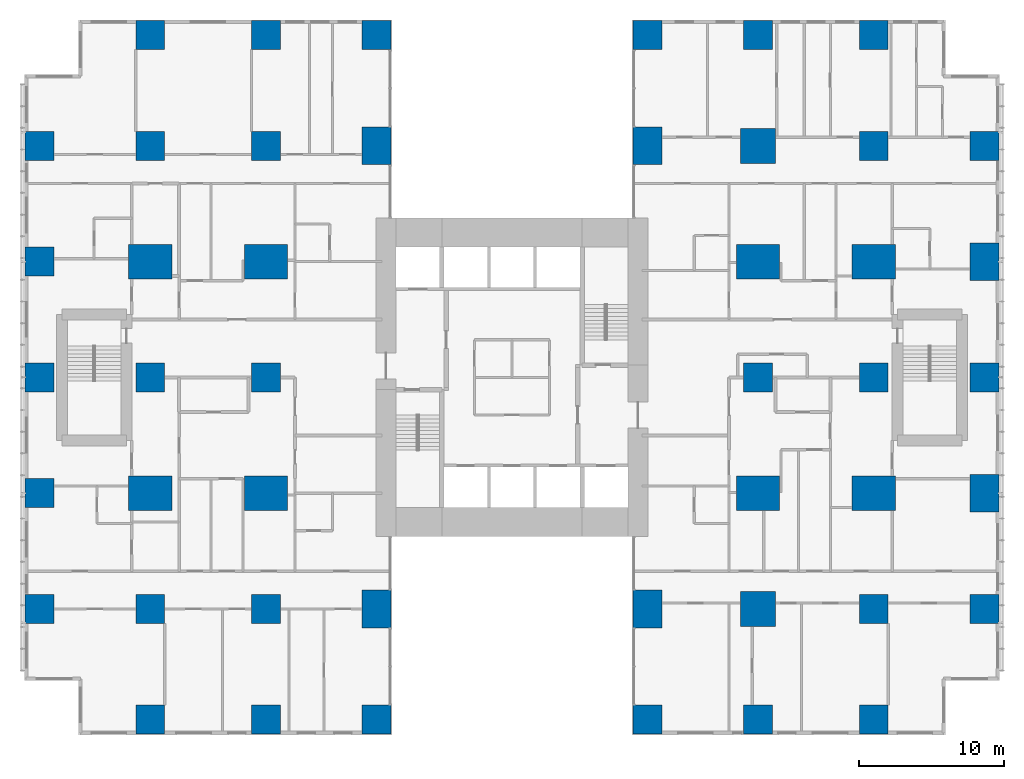
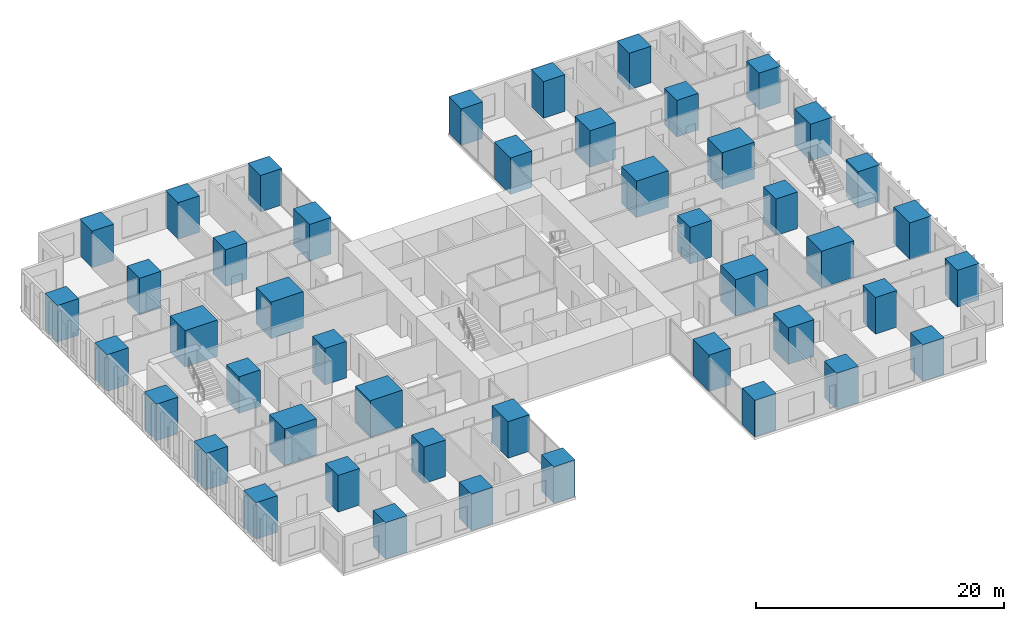
# One storey, part 1 of 20: 46 columns.
"""IFC4 building model written with IfcOpenShell, lengths in metres."""

import ifcopenshell
import ifcopenshell.guid

model = None  # the IFC model being written
_history = None  # IfcOwnerHistory: only IFC2X3 demands one
_inside = {}  # id of a spatial element -> (the spatial element, [elements in it])
_under = {}  # id of a project, library or spatial element -> (it, [spatial elements below it])
_declared = {}  # id of a project -> (the project, [libraries it declares])
_typed = {}  # id of a type object -> (the type object, [elements of that type])
_made_of = {}  # id of a material, layer set ... -> (it, [elements and type objects made of it])


def new_model(schema):
    """Start an empty IFC model of exactly this schema.

    Asked for "IFC4X3", IfcOpenShell would pick the latest addendum, in which some entities
    have other attributes; the version numbers below select the first issue.
    IFC2X3 requires an IfcOwnerHistory on every rooted entity: one is made here for all.
    """
    global model, _history
    if schema == "IFC4X3":
        model = ifcopenshell.file(schema_version=(4, 3, 0, 0))
    else:
        model = ifcopenshell.file(schema=schema)
    _inside.clear()
    _under.clear()
    _declared.clear()
    _typed.clear()
    _made_of.clear()
    _history = None
    if model.schema == "IFC2X3":
        org = make("IfcOrganization", Name="unknown")
        user = make(
            "IfcPersonAndOrganization",
            ThePerson=make("IfcPerson", FamilyName="unknown"),
            TheOrganization=org,
        )
        app = make(
            "IfcApplication",
            ApplicationDeveloper=org,
            Version="unknown",
            ApplicationFullName="unknown",
            ApplicationIdentifier="unknown",
        )
        _history = make(
            "IfcOwnerHistory",
            OwningUser=user,
            OwningApplication=app,
            ChangeAction="ADDED",
            CreationDate=0,
        )
    return model


def make(cls, **values):
    """One entity of the class cls with the attributes given. An attribute that is None is left unset."""
    return model.create_entity(
        cls, **{name: value for name, value in values.items() if value is not None}
    )


def rooted(cls, **values):
    """An entity with a GlobalId (a new one), such as an element, a storey or a relation."""
    return make(cls, GlobalId=ifcopenshell.guid.new(), OwnerHistory=_history, **values)


def si_unit(unit_type, name, prefix=None):
    """IfcSIUnit, for example si_unit("LENGTHUNIT", "METRE", prefix="MILLI")."""
    return make("IfcSIUnit", UnitType=unit_type, Prefix=prefix, Name=name)


def assignment(units):
    """IfcUnitAssignment: the units of a project."""
    return None if units is None else make("IfcUnitAssignment", Units=units)


def point(xyz):
    """IfcCartesianPoint."""
    return None if xyz is None else make("IfcCartesianPoint", Coordinates=xyz)


def direction(xyz):
    """IfcDirection."""
    return None if xyz is None else make("IfcDirection", DirectionRatios=xyz)


def frame(location, z_axis=None, x_axis=None):
    """IfcAxis2Placement3D, a coordinate frame: its origin and axes. An axis left out is left unset."""
    return make(
        "IfcAxis2Placement3D",
        Location=point(location),
        Axis=direction(z_axis),
        RefDirection=direction(x_axis),
    )


def frame_2d(location, x_axis=None):
    """IfcAxis2Placement2D, a coordinate frame in the plane: its origin and x axis."""
    return make(
        "IfcAxis2Placement2D", Location=point(location), RefDirection=direction(x_axis)
    )


def origin():
    """The frame at (0, 0, 0) with its axes left unset."""
    return frame((0.0, 0.0, 0.0))


def origin_2d():
    """The frame at (0, 0) in the plane with its x axis left unset."""
    return frame_2d((0.0, 0.0))


def place(relative_to, where):
    """IfcLocalPlacement: puts the frame where relative to a parent placement (None: the world)."""
    return make(
        "IfcLocalPlacement", PlacementRelTo=relative_to, RelativePlacement=where
    )


def context(
    kind, dimensions, precision=None, world=None, true_north=None, identifier=None
):
    """IfcGeometricRepresentationContext, for example the 3D "Model" context."""
    return make(
        "IfcGeometricRepresentationContext",
        ContextIdentifier=identifier,
        ContextType=kind,
        CoordinateSpaceDimension=dimensions,
        Precision=precision,
        WorldCoordinateSystem=world,
        TrueNorth=true_north,
    )


def subcontext(parent, identifier, kind, view, scale=None):
    """IfcGeometricRepresentationSubContext, for example "Body" below "Model"."""
    return make(
        "IfcGeometricRepresentationSubContext",
        ContextIdentifier=identifier,
        ContextType=kind,
        ParentContext=parent,
        TargetScale=scale,
        TargetView=view,
    )


def project(units=None, contexts=None):
    """IfcProject with its units and contexts."""
    return rooted(
        "IfcProject",
        Name="project",
        RepresentationContexts=contexts,
        UnitsInContext=assignment(units),
    )


def spatial(cls, under=None, at=None, **own):
    """A site, building, storey or space (cls), placed at a placement, below another one or the project."""
    s = rooted(cls, ObjectPlacement=at, **own)
    if under is not None:
        _under.setdefault(under.id(), (under, []))[1].append(s)
    return s


def profile(cls, at=None, kind="AREA", **sizes):
    """A parametric profile (cls). Its sizes go by their IFC names, for example OverallWidth=200.0."""
    return make(cls, ProfileType=kind, Position=at, **sizes)


def rectangle(**sizes):
    """IfcRectangleProfileDef."""
    return profile("IfcRectangleProfileDef", **sizes)


def extrude(swept, where, along, depth):
    """IfcExtrudedAreaSolid: the profile swept, set in the frame where, extruded along a direction by depth."""
    return make(
        "IfcExtrudedAreaSolid",
        SweptArea=swept,
        Position=where,
        ExtrudedDirection=direction(along),
        Depth=depth,
    )


def shape(context_of_items, identifier, shape_type, items):
    """IfcShapeRepresentation: the items that make up one representation, for example the "Body"."""
    return make(
        "IfcShapeRepresentation",
        ContextOfItems=context_of_items,
        RepresentationIdentifier=identifier,
        RepresentationType=shape_type,
        Items=items,
    )


def material(Name=None, Category=None):
    """IfcMaterial."""
    return make("IfcMaterial", Name=Name, Category=Category)


def material_profile(
    of_material, cross_section, Name=None, Category=None, Priority=None
):
    """IfcMaterialProfile: a cross section and its material."""
    return make(
        "IfcMaterialProfile",
        Name=Name,
        Material=of_material,
        Profile=cross_section,
        Priority=Priority,
        Category=Category,
    )


def profile_set(profiles, Name=None, composite=None):
    """IfcMaterialProfileSet."""
    return make(
        "IfcMaterialProfileSet",
        Name=Name,
        MaterialProfiles=profiles,
        CompositeProfile=composite,
    )


def made_of(thing, what):
    """Note that an element or type object is made of a material, layer set ...; save() writes the relation."""
    if what is not None:
        _made_of.setdefault(what.id(), (what, []))[1].append(thing)
    return thing


def type_object(cls, material=None, **own):
    """A type object (cls), such as IfcWallType, which elements share."""
    return made_of(rooted(cls, **own), material)


def element(
    cls,
    number,
    at=None,
    inside=None,
    cuts=None,
    type_object=None,
    material=None,
    context=None,
    identifier="Body",
    shape_type=None,
    held_by="IfcProductDefinitionShape",
    body=None,
    shapes=None,
    **own,
):
    """One element of the class cls, such as IfcWall. Its Tag is "e" and its number.

    at: its placement. inside: the storey or other place that contains it. cuts: it is an
    opening in that element (IfcRelVoidsElement). A single representation is given by context,
    identifier, shape_type and body (its items); several are given by shapes. held_by: the class
    of the entity that holds the representations. save() writes the other relations.
    """
    e = rooted(cls, Tag="e%d" % number, ObjectPlacement=at, **own)
    if body is not None:
        shapes = [shape(context, identifier, shape_type, body)]
    if shapes is not None:
        e.Representation = make(held_by, Representations=shapes)
    if inside is not None:
        _inside.setdefault(inside.id(), (inside, []))[1].append(e)
    if cuts is not None:
        rooted(
            "IfcRelVoidsElement", RelatingBuildingElement=cuts, RelatedOpeningElement=e
        )
    if type_object is not None:
        _typed.setdefault(type_object.id(), (type_object, []))[1].append(e)
    return made_of(e, material)


def aggregate(whole, parts):
    """IfcRelAggregates: a whole, such as a stair, and the parts it consists of."""
    return rooted("IfcRelAggregates", RelatingObject=whole, RelatedObjects=parts)


def save(model, path):
    """Write the relations noted so far, then the file.

    IfcRelAggregates (storeys below a building ...), IfcRelContainedInSpatialStructure (elements
    in a storey), IfcRelDefinesByType, IfcRelAssociatesMaterial and IfcRelDeclares: one each for
    every whole, place, type object, material and project.
    """
    for whole, parts in _under.values():
        aggregate(whole, parts)
    for where, things in _inside.values():
        rooted(
            "IfcRelContainedInSpatialStructure",
            RelatedElements=things,
            RelatingStructure=where,
        )
    for kind, things in _typed.values():
        rooted("IfcRelDefinesByType", RelatedObjects=things, RelatingType=kind)
    for what, things in _made_of.values():
        rooted("IfcRelAssociatesMaterial", RelatedObjects=things, RelatingMaterial=what)
    for by, libraries in _declared.values():
        rooted("IfcRelDeclares", RelatingContext=by, RelatedDefinitions=libraries)
    model.write(path)


model = new_model("IFC4")

# Units and contexts
model_context = context("Model", 3, precision=1e-05, world=origin(), true_north=direction((0.0, 1.0)))
body_context = subcontext(model_context, "Body", "Model", "MODEL_VIEW")
ifc_project = project(units=[si_unit("LENGTHUNIT", "METRE"), si_unit("AREAUNIT", "SQUARE_METRE"), si_unit("VOLUMEUNIT", "CUBIC_METRE"), si_unit("PLANEANGLEUNIT", "RADIAN"), si_unit("MASSUNIT", "GRAM", prefix="KILO")], contexts=[model_context])

# Site, building, storey
site_placement = place(None, origin())
site = spatial("IfcSite", under=ifc_project, at=site_placement, CompositionType="ELEMENT")
building_placement = place(site_placement, origin())
building = spatial("IfcBuilding", under=site, at=building_placement, Name="Cleftline Residences", CompositionType="ELEMENT")
storey_placement = place(building_placement, frame((0.0, 0.0, 135.800048828125)))
storey = spatial("IfcBuildingStorey", under=building, at=storey_placement, Name="L35", CompositionType="ELEMENT", Elevation=135.800048828125)

# Columns
ifc_material_1 = material(Name="Concrete B70", Category="concrete")
ifc_material_profile_1 = material_profile(ifc_material_1, rectangle(XDim=2.0, YDim=2.0, at=origin_2d()))
ifc_profile_set_1 = profile_set([ifc_material_profile_1], Name="Concrete B70")
column_type_1 = type_object("IfcColumnType", Name="COLUMN RC2000X2000", PredefinedType="COLUMN", material=ifc_profile_set_1)
for number, where, z_axis, x_axis, name in (
    (1, (0.35009765625, 8.0, 0.0), (0.0, 0.0, 1.0), (1.0, 0.0, 0.0), "Column D/3"),
    (2, (0.35009765625, 16.0, 0.0), (0.0, 0.0, 1.0), (1.0, 0.0, 0.0), "Column E/3"),
    (3, (0.35009765625, 24.0, 0.0), (0.0, 0.0, 1.0), (1.0, 0.0, 0.0), "Column F/3"),
    (4, (0.35009765625, 32.0, 0.0), (0.0, 0.0, 1.0), (1.0, 0.0, 0.0), "Column G/3"),
    (5, (0.35009765625, 40.0, 0.0), (0.0, 0.0, 1.0), (1.0, 0.0, 0.0), "Column H/3"),
    (6, (8.0, 0.35009765625, 0.0), (0.0, 0.0, 1.0), (1.0, 0.0, 0.0), "Column C/4"),
    (7, (8.0, 8.0, 0.0), (0.0, 0.0, 1.0), (1.0, 0.0, 0.0), "Column D/4"),
    (8, (8.0, 24.0, 0.0), (0.0, 0.0, 1.0), (1.0, 0.0, 0.0), "Column F/4"),
    (9, (8.0, 40.0, 0.0), (0.0, 0.0, 1.0), (1.0, 0.0, 0.0), "Column H/4"),
    (10, (8.0, 47.64990234375, 0.0), (0.0, 0.0, 1.0), (1.0, 0.0, 0.0), "Column J/4"),
    (11, (16.0, 0.35009765625, 0.0), (0.0, 0.0, 1.0), (1.0, 0.0, 0.0), "Column C/5"),
    (12, (16.0, 8.0, 0.0), (0.0, 0.0, 1.0), (1.0, 0.0, 0.0), "Column D/5"),
    (13, (16.0, 24.0, 0.0), (0.0, 0.0, 1.0), (1.0, 0.0, 0.0), "Column F/5"),
    (14, (16.0, 40.0, 0.0), (0.0, 0.0, 1.0), (1.0, 0.0, 0.0), "Column H/5"),
    (15, (16.0, 47.64990234375, 0.0), (0.0, 0.0, 1.0), (1.0, 0.0, 0.0), "Column J/5"),
    (16, (23.64990234375, 0.35009765625, 0.0), (0.0, 0.0, 1.0), (1.0, 0.0, 0.0), "Column C/6"),
    (17, (23.64990234375, 47.64990234375, 0.0), (0.0, 0.0, 1.0), (1.0, 0.0, 0.0), "Column J/6"),
    (18, (42.35009765625, 0.35009765625, 0.0), (0.0, 0.0, 1.0), (1.0, 0.0, 0.0), "Column C/8"),
    (19, (42.35009765625, 47.64990234375, 0.0), (0.0, 0.0, 1.0), (1.0, 0.0, 0.0), "Column J/8"),
    (20, (50.0, 0.35009765625, 0.0), (0.0, 0.0, 1.0), (1.0, 0.0, 0.0), "Column C/9"),
    (21, (50.0, 24.0, 0.0), (0.0, 0.0, 1.0), (1.0, 0.0, 0.0), "Column F/9"),
    (22, (50.0, 47.64990234375, 0.0), (0.0, 0.0, 1.0), (1.0, 0.0, 0.0), "Column J/9"),
    (23, (58.0, 0.35009765625, 0.0), (0.0, 0.0, 1.0), (1.0, 0.0, 0.0), "Column C/10"),
    (24, (58.0, 8.0, 0.0), (0.0, 0.0, 1.0), (1.0, 0.0, 0.0), "Column D/10"),
    (25, (58.0, 24.0, 0.0), (0.0, 0.0, 1.0), (1.0, 0.0, 0.0), "Column F/10"),
    (26, (58.0, 40.0, 0.0), (0.0, 0.0, 1.0), (1.0, 0.0, 0.0), "Column H/10"),
    (27, (58.0, 47.64990234375, 0.0), (0.0, 0.0, 1.0), (1.0, 0.0, 0.0), "Column J/10"),
    (28, (65.64990234375, 8.0, 0.0), (0.0, 0.0, 1.0), (1.0, 0.0, 0.0), "Column D/11"),
    (29, (65.64990234375, 24.0, 0.0), (0.0, 0.0, 1.0), (1.0, 0.0, 0.0), "Column F/11"),
    (30, (65.64990234375, 40.0, 0.0), (0.0, 0.0, 1.0), (1.0, 0.0, 0.0), "Column H/11"),
):
    element("IfcColumn", number, at=place(storey_placement, frame(where, z_axis=z_axis, x_axis=x_axis)), inside=storey, type_object=column_type_1, Name=name, PredefinedType="COLUMN", context=body_context, shape_type="SweptSolid", body=[
        extrude(rectangle(XDim=2.0, YDim=2.0, at=origin_2d()), origin(), (0.0, 0.0, 1.0), 3.599853515625),
    ])
ifc_material_2 = material(Name="Concrete B70", Category="concrete")
ifc_material_profile_2 = material_profile(ifc_material_2, rectangle(XDim=2.0, YDim=2.60009765625, at=origin_2d()))
ifc_profile_set_2 = profile_set([ifc_material_profile_2], Name="Concrete B70")
column_type_2 = type_object("IfcColumnType", Name="COLUMN RC2000X2600", PredefinedType="COLUMN", material=ifc_profile_set_2)
for number, where, z_axis, x_axis, name in (
    (31, (23.64990234375, 8.0, 0.0), (0.0, 0.0, 1.0), (1.0, 0.0, 0.0), "Column D/6"),
    (32, (23.64990234375, 40.0, 0.0), (0.0, 0.0, 1.0), (1.0, 0.0, 0.0), "Column H/6"),
    (33, (42.35009765625, 8.0, 0.0), (0.0, 0.0, 1.0), (1.0, 0.0, 0.0), "Column D/8"),
    (34, (42.35009765625, 40.0, 0.0), (0.0, 0.0, 1.0), (1.0, 0.0, 0.0), "Column H/8"),
):
    element("IfcColumn", number, at=place(storey_placement, frame(where, z_axis=z_axis, x_axis=x_axis)), inside=storey, type_object=column_type_2, Name=name, PredefinedType="COLUMN", context=body_context, shape_type="SweptSolid", body=[
        extrude(rectangle(XDim=2.0, YDim=2.60009765625, at=origin_2d()), origin(), (0.0, 0.0, 1.0), 3.599853515625),
    ])
ifc_material_3 = material(Name="Concrete B70", Category="concrete")
ifc_material_profile_3 = material_profile(ifc_material_3, rectangle(XDim=2.39990234375, YDim=2.39990234375, at=origin_2d()))
ifc_profile_set_3 = profile_set([ifc_material_profile_3], Name="Concrete B70")
column_type_3 = type_object("IfcColumnType", Name="COLUMN RC2400X2400", PredefinedType="COLUMN", material=ifc_profile_set_3)
for number, where, z_axis, x_axis, name in (
    (35, (50.0, 8.0, 0.0), (0.0, 0.0, 1.0), (1.0, 0.0, 0.0), "Column D/9"),
    (36, (50.0, 40.0, 0.0), (0.0, 0.0, 1.0), (1.0, 0.0, 0.0), "Column H/9"),
):
    element("IfcColumn", number, at=place(storey_placement, frame(where, z_axis=z_axis, x_axis=x_axis)), inside=storey, type_object=column_type_3, Name=name, PredefinedType="COLUMN", context=body_context, shape_type="SweptSolid", body=[
        extrude(rectangle(XDim=2.39990234375, YDim=2.39990234375, at=origin_2d()), origin(), (0.0, 0.0, 1.0), 3.599853515625),
    ])
ifc_material_4 = material(Name="Concrete B70", Category="concrete")
ifc_material_profile_4 = material_profile(ifc_material_4, rectangle(XDim=2.60009765625, YDim=2.0, at=origin_2d()))
ifc_profile_set_4 = profile_set([ifc_material_profile_4], Name="Concrete B70")
column_type_4 = type_object("IfcColumnType", Name="COLUMN RC2600X2000", PredefinedType="COLUMN", material=ifc_profile_set_4)
for number, where, z_axis, x_axis, name in (
    (37, (65.64990234375, 16.0, 0.0), (0.0, 0.0, 1.0), (0.0, 1.0, 0.0), "Column E/11"),
    (38, (65.64990234375, 32.0, 0.0), (0.0, 0.0, 1.0), (0.0, 1.0, 0.0), "Column G/11"),
):
    element("IfcColumn", number, at=place(storey_placement, frame(where, z_axis=z_axis, x_axis=x_axis)), inside=storey, type_object=column_type_4, Name=name, PredefinedType="COLUMN", context=body_context, shape_type="SweptSolid", body=[
        extrude(rectangle(XDim=2.60009765625, YDim=2.0, at=origin_2d()), origin(), (0.0, 0.0, 1.0), 3.599853515625),
    ])
ifc_material_5 = material(Name="Concrete B70", Category="concrete")
ifc_material_profile_5 = material_profile(ifc_material_5, rectangle(XDim=3.0, YDim=2.39990234375, at=origin_2d()))
ifc_profile_set_5 = profile_set([ifc_material_profile_5], Name="Concrete B70")
column_type_5 = type_object("IfcColumnType", Name="COLUMN RC3000X2400", PredefinedType="COLUMN", material=ifc_profile_set_5)
for number, where, z_axis, x_axis, name in (
    (39, (8.0, 16.0, 0.0), (0.0, 0.0, 1.0), (1.0, 0.0, 0.0), "Column E/4"),
    (40, (8.0, 32.0, 0.0), (0.0, 0.0, 1.0), (1.0, 0.0, 0.0), "Column G/4"),
    (41, (16.0, 16.0, 0.0), (0.0, 0.0, 1.0), (1.0, 0.0, 0.0), "Column E/5"),
    (42, (16.0, 32.0, 0.0), (0.0, 0.0, 1.0), (1.0, 0.0, 0.0), "Column G/5"),
    (43, (50.0, 16.0, 0.0), (0.0, 0.0, 1.0), (1.0, 0.0, 0.0), "Column E/9"),
    (44, (50.0, 32.0, 0.0), (0.0, 0.0, 1.0), (1.0, 0.0, 0.0), "Column G/9"),
    (45, (58.0, 16.0, 0.0), (0.0, 0.0, 1.0), (1.0, 0.0, 0.0), "Column E/10"),
    (46, (58.0, 32.0, 0.0), (0.0, 0.0, 1.0), (1.0, 0.0, 0.0), "Column G/10"),
):
    element("IfcColumn", number, at=place(storey_placement, frame(where, z_axis=z_axis, x_axis=x_axis)), inside=storey, type_object=column_type_5, Name=name, PredefinedType="COLUMN", context=body_context, shape_type="SweptSolid", body=[
        extrude(rectangle(XDim=3.0, YDim=2.39990234375, at=origin_2d()), origin(), (0.0, 0.0, 1.0), 3.599853515625),
    ])

save(model, "model.ifc")
